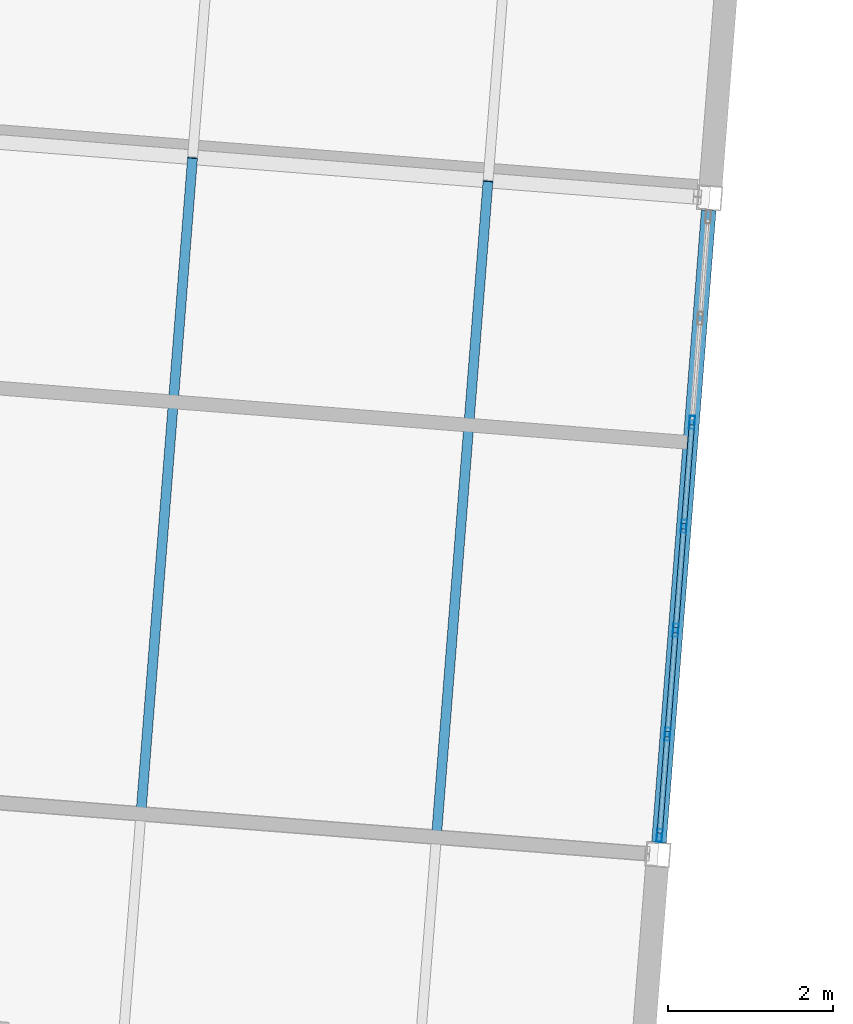
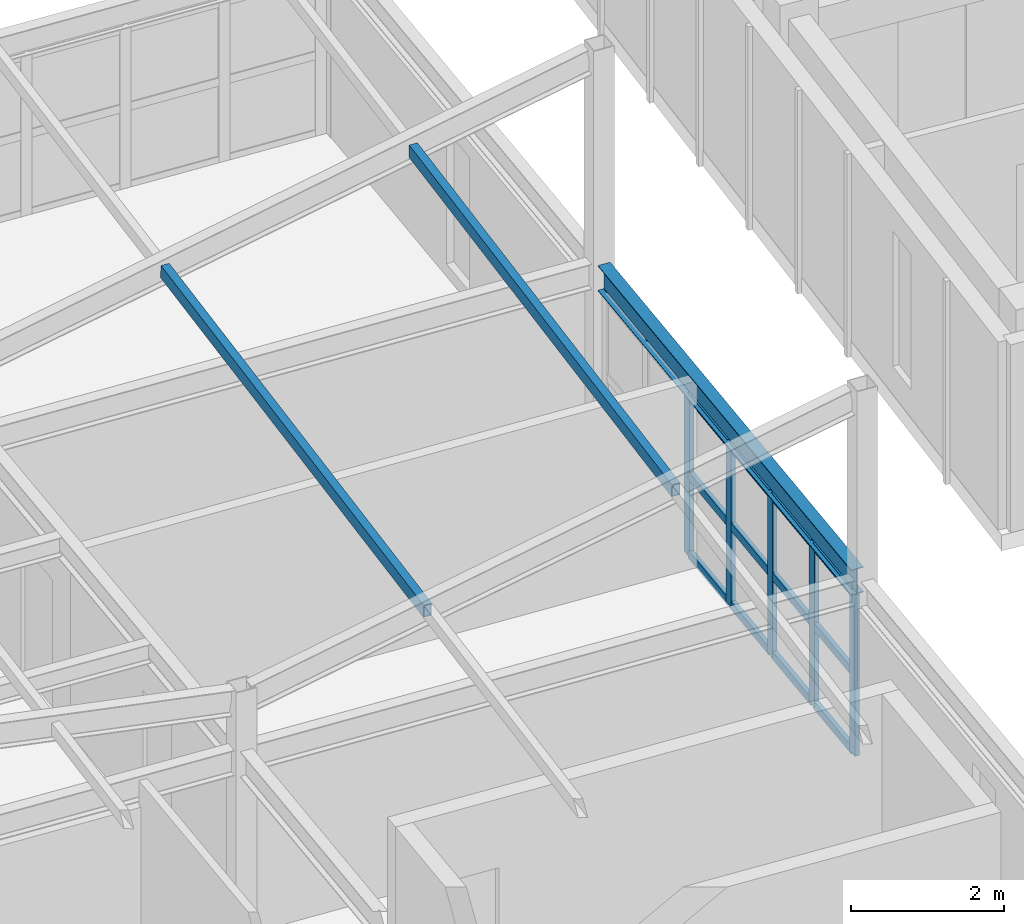
# One storey, part 42 of 127: 19 members, 1 beam, 1 element without a shape of its own.
"""IFC4 building model written with IfcOpenShell, lengths in metres."""

import ifcopenshell
import ifcopenshell.guid

model = None  # the IFC model being written
_history = None  # IfcOwnerHistory: only IFC2X3 demands one
_inside = {}  # id of a spatial element -> (the spatial element, [elements in it])
_under = {}  # id of a project, library or spatial element -> (it, [spatial elements below it])
_declared = {}  # id of a project -> (the project, [libraries it declares])
_typed = {}  # id of a type object -> (the type object, [elements of that type])
_made_of = {}  # id of a material, layer set ... -> (it, [elements and type objects made of it])


def new_model(schema):
    """Start an empty IFC model of exactly this schema.

    Asked for "IFC4X3", IfcOpenShell would pick the latest addendum, in which some entities
    have other attributes; the version numbers below select the first issue.
    IFC2X3 requires an IfcOwnerHistory on every rooted entity: one is made here for all.
    """
    global model, _history
    if schema == "IFC4X3":
        model = ifcopenshell.file(schema_version=(4, 3, 0, 0))
    else:
        model = ifcopenshell.file(schema=schema)
    _inside.clear()
    _under.clear()
    _declared.clear()
    _typed.clear()
    _made_of.clear()
    _history = None
    if model.schema == "IFC2X3":
        org = make("IfcOrganization", Name="unknown")
        user = make(
            "IfcPersonAndOrganization",
            ThePerson=make("IfcPerson", FamilyName="unknown"),
            TheOrganization=org,
        )
        app = make(
            "IfcApplication",
            ApplicationDeveloper=org,
            Version="unknown",
            ApplicationFullName="unknown",
            ApplicationIdentifier="unknown",
        )
        _history = make(
            "IfcOwnerHistory",
            OwningUser=user,
            OwningApplication=app,
            ChangeAction="ADDED",
            CreationDate=0,
        )
    return model


def make(cls, **values):
    """One entity of the class cls with the attributes given. An attribute that is None is left unset."""
    return model.create_entity(
        cls, **{name: value for name, value in values.items() if value is not None}
    )


def rooted(cls, **values):
    """An entity with a GlobalId (a new one), such as an element, a storey or a relation."""
    return make(cls, GlobalId=ifcopenshell.guid.new(), OwnerHistory=_history, **values)


def si_unit(unit_type, name, prefix=None):
    """IfcSIUnit, for example si_unit("LENGTHUNIT", "METRE", prefix="MILLI")."""
    return make("IfcSIUnit", UnitType=unit_type, Prefix=prefix, Name=name)


def assignment(units):
    """IfcUnitAssignment: the units of a project."""
    return None if units is None else make("IfcUnitAssignment", Units=units)


def point(xyz):
    """IfcCartesianPoint."""
    return None if xyz is None else make("IfcCartesianPoint", Coordinates=xyz)


def direction(xyz):
    """IfcDirection."""
    return None if xyz is None else make("IfcDirection", DirectionRatios=xyz)


def frame(location, z_axis=None, x_axis=None):
    """IfcAxis2Placement3D, a coordinate frame: its origin and axes. An axis left out is left unset."""
    return make(
        "IfcAxis2Placement3D",
        Location=point(location),
        Axis=direction(z_axis),
        RefDirection=direction(x_axis),
    )


def frame_2d(location, x_axis=None):
    """IfcAxis2Placement2D, a coordinate frame in the plane: its origin and x axis."""
    return make(
        "IfcAxis2Placement2D", Location=point(location), RefDirection=direction(x_axis)
    )


def origin():
    """The frame at (0, 0, 0) with its axes left unset."""
    return frame((0.0, 0.0, 0.0))


def origin_2d():
    """The frame at (0, 0) in the plane with its x axis left unset."""
    return frame_2d((0.0, 0.0))


def place(relative_to, where):
    """IfcLocalPlacement: puts the frame where relative to a parent placement (None: the world)."""
    return make(
        "IfcLocalPlacement", PlacementRelTo=relative_to, RelativePlacement=where
    )


def context(
    kind, dimensions, precision=None, world=None, true_north=None, identifier=None
):
    """IfcGeometricRepresentationContext, for example the 3D "Model" context."""
    return make(
        "IfcGeometricRepresentationContext",
        ContextIdentifier=identifier,
        ContextType=kind,
        CoordinateSpaceDimension=dimensions,
        Precision=precision,
        WorldCoordinateSystem=world,
        TrueNorth=true_north,
    )


def subcontext(parent, identifier, kind, view, scale=None):
    """IfcGeometricRepresentationSubContext, for example "Body" below "Model"."""
    return make(
        "IfcGeometricRepresentationSubContext",
        ContextIdentifier=identifier,
        ContextType=kind,
        ParentContext=parent,
        TargetScale=scale,
        TargetView=view,
    )


def project(units=None, contexts=None):
    """IfcProject with its units and contexts."""
    return rooted(
        "IfcProject",
        Name="project",
        RepresentationContexts=contexts,
        UnitsInContext=assignment(units),
    )


def spatial(cls, under=None, at=None, **own):
    """A site, building, storey or space (cls), placed at a placement, below another one or the project."""
    s = rooted(cls, ObjectPlacement=at, **own)
    if under is not None:
        _under.setdefault(under.id(), (under, []))[1].append(s)
    return s


def profile(cls, at=None, kind="AREA", **sizes):
    """A parametric profile (cls). Its sizes go by their IFC names, for example OverallWidth=200.0."""
    return make(cls, ProfileType=kind, Position=at, **sizes)


def hollow_rectangle(**sizes):
    """IfcRectangleHollowProfileDef."""
    return profile("IfcRectangleHollowProfileDef", **sizes)


def i_section(**sizes):
    """IfcIShapeProfileDef."""
    return profile("IfcIShapeProfileDef", **sizes)


def extrude(swept, where, along, depth):
    """IfcExtrudedAreaSolid: the profile swept, set in the frame where, extruded along a direction by depth."""
    return make(
        "IfcExtrudedAreaSolid",
        SweptArea=swept,
        Position=where,
        ExtrudedDirection=direction(along),
        Depth=depth,
    )


def shape(context_of_items, identifier, shape_type, items):
    """IfcShapeRepresentation: the items that make up one representation, for example the "Body"."""
    return make(
        "IfcShapeRepresentation",
        ContextOfItems=context_of_items,
        RepresentationIdentifier=identifier,
        RepresentationType=shape_type,
        Items=items,
    )


def material(Name=None, Category=None):
    """IfcMaterial."""
    return make("IfcMaterial", Name=Name, Category=Category)


def material_profile(
    of_material, cross_section, Name=None, Category=None, Priority=None
):
    """IfcMaterialProfile: a cross section and its material."""
    return make(
        "IfcMaterialProfile",
        Name=Name,
        Material=of_material,
        Profile=cross_section,
        Priority=Priority,
        Category=Category,
    )


def profile_set(profiles, Name=None, composite=None):
    """IfcMaterialProfileSet."""
    return make(
        "IfcMaterialProfileSet",
        Name=Name,
        MaterialProfiles=profiles,
        CompositeProfile=composite,
    )


def made_of(thing, what):
    """Note that an element or type object is made of a material, layer set ...; save() writes the relation."""
    if what is not None:
        _made_of.setdefault(what.id(), (what, []))[1].append(thing)
    return thing


def type_object(cls, material=None, **own):
    """A type object (cls), such as IfcWallType, which elements share."""
    return made_of(rooted(cls, **own), material)


def element(
    cls,
    number,
    at=None,
    inside=None,
    cuts=None,
    type_object=None,
    material=None,
    context=None,
    identifier="Body",
    shape_type=None,
    held_by="IfcProductDefinitionShape",
    body=None,
    shapes=None,
    **own,
):
    """One element of the class cls, such as IfcWall. Its Tag is "e" and its number.

    at: its placement. inside: the storey or other place that contains it. cuts: it is an
    opening in that element (IfcRelVoidsElement). A single representation is given by context,
    identifier, shape_type and body (its items); several are given by shapes. held_by: the class
    of the entity that holds the representations. save() writes the other relations.
    """
    e = rooted(cls, Tag="e%d" % number, ObjectPlacement=at, **own)
    if body is not None:
        shapes = [shape(context, identifier, shape_type, body)]
    if shapes is not None:
        e.Representation = make(held_by, Representations=shapes)
    if inside is not None:
        _inside.setdefault(inside.id(), (inside, []))[1].append(e)
    if cuts is not None:
        rooted(
            "IfcRelVoidsElement", RelatingBuildingElement=cuts, RelatedOpeningElement=e
        )
    if type_object is not None:
        _typed.setdefault(type_object.id(), (type_object, []))[1].append(e)
    return made_of(e, material)


def aggregate(whole, parts):
    """IfcRelAggregates: a whole, such as a stair, and the parts it consists of."""
    return rooted("IfcRelAggregates", RelatingObject=whole, RelatedObjects=parts)


def save(model, path):
    """Write the relations noted so far, then the file.

    IfcRelAggregates (storeys below a building ...), IfcRelContainedInSpatialStructure (elements
    in a storey), IfcRelDefinesByType, IfcRelAssociatesMaterial and IfcRelDeclares: one each for
    every whole, place, type object, material and project.
    """
    for whole, parts in _under.values():
        aggregate(whole, parts)
    for where, things in _inside.values():
        rooted(
            "IfcRelContainedInSpatialStructure",
            RelatedElements=things,
            RelatingStructure=where,
        )
    for kind, things in _typed.values():
        rooted("IfcRelDefinesByType", RelatedObjects=things, RelatingType=kind)
    for what, things in _made_of.values():
        rooted("IfcRelAssociatesMaterial", RelatedObjects=things, RelatingMaterial=what)
    for by, libraries in _declared.values():
        rooted("IfcRelDeclares", RelatingContext=by, RelatedDefinitions=libraries)
    model.write(path)


model = new_model("IFC4")

# Units and contexts
model_context = context("Model", 3, precision=1e-05, world=origin(), true_north=direction((0.0, 1.0)))
body_context = subcontext(model_context, "Body", "Model", "MODEL_VIEW")
ifc_project = project(units=[si_unit("LENGTHUNIT", "METRE"), si_unit("AREAUNIT", "SQUARE_METRE"), si_unit("VOLUMEUNIT", "CUBIC_METRE"), si_unit("PLANEANGLEUNIT", "RADIAN"), si_unit("MASSUNIT", "GRAM", prefix="KILO")], contexts=[model_context])

# Site, building, storey
site_placement = place(None, origin())
site = spatial("IfcSite", under=ifc_project, at=site_placement, CompositionType="ELEMENT")
building_placement = place(site_placement, origin())
building = spatial("IfcBuilding", under=site, at=building_placement, Name="Kestramere Prow Commons", CompositionType="ELEMENT")
storey_placement = place(building_placement, frame((0.0, 0.0, 8.39990234375)))
storey = spatial("IfcBuildingStorey", under=building, at=storey_placement, Name="L02", CompositionType="ELEMENT", Elevation=8.39990234375)

# Beam
ifc_material_1 = material(Name="Steel S355JR", Category="steel")
ifc_material_profile_1 = material_profile(ifc_material_1, i_section(OverallWidth=0.177978515625, OverallDepth=0.406494140625, WebThickness=0.0078125, FlangeThickness=0.0126953125, FilletRadius=0.01025390625, at=origin_2d()), Name="UB 406x178x60")
ifc_profile_set_1 = profile_set([ifc_material_profile_1], Name="Steel S355JR")
beam_type = type_object("IfcBeamType", Name="BM-NR-01 UB 406x178x60 (EX)", PredefinedType="BEAM", material=ifc_profile_set_1)
beam_placement = place(storey_placement, frame((105.12841796875, 90.80029296875, 2.796875), z_axis=(0.078473620365, 0.996916190513, 0.0), x_axis=(-0.996916190513, 0.078473620365, 0.0)))
element("IfcBeam", 1, at=beam_placement, inside=storey, type_object=beam_type, Name="Nursery L02 Beam V 5-2", PredefinedType="BEAM", context=body_context, shape_type="SweptSolid", body=[
    extrude(i_section(OverallWidth=0.177978515625, OverallDepth=0.406494140625, WebThickness=0.0078125, FlangeThickness=0.0126953125, FilletRadius=0.01025390625, at=origin_2d()), origin(), (0.0, 0.0, 1.0), 7.699951171875),
])

# Curtain wall, members
ifc_material_2 = material(Name="Anodised Aluminium and Low-E Glass", Category="aluminium")
curtain_wall_type = type_object("IfcCurtainWallType", Name="CW-18 Glazed Curtain Wall 7600x2580", PredefinedType="USERDEFINED", material=ifc_material_2)
curtain_wall_placement = place(storey_placement, origin())
curtain_wall = element("IfcCurtainWall", 2, at=curtain_wall_placement, inside=storey, type_object=curtain_wall_type, Name="Nursery L02 E End Glazing", ObjectType="GLAZED CURTAIN WALL", PredefinedType="USERDEFINED")
ifc_material_3 = material(Name="Anodised Aluminium 6063-T6", Category="aluminium")
ifc_material_profile_2 = material_profile(ifc_material_3, hollow_rectangle(XDim=0.06494140625, YDim=0.159912109375, WallThickness=0.00390625, at=origin_2d()), Name="ALU-MUL 65x160")
ifc_profile_set_2 = profile_set([ifc_material_profile_2], Name="Anodised Aluminium 6063-T6")
member_type_1 = type_object("IfcMemberType", Name="CW-MUL-65x160", PredefinedType="MULLION", material=ifc_profile_set_2)
member_1_placement = place(storey_placement, frame((105.530029296875, 95.901123046875, 0.0), z_axis=(0.0, 0.0, 1.0), x_axis=(0.996917334449, -0.078459086628, 0.0)))
member_1 = element("IfcMember", 3, at=member_1_placement, type_object=member_type_1, Name="CW-18 mullion 3", PredefinedType="MULLION", context=body_context, shape_type="SweptSolid", body=[
    extrude(hollow_rectangle(XDim=0.06494140625, YDim=0.159912109375, WallThickness=0.00390625, at=origin_2d()), origin(), (0.0, 0.0, 1.0), 2.580078125),
])
member_2_placement = place(storey_placement, frame((105.430419921875, 94.638427734375, 0.0), z_axis=(0.0, 0.0, 1.0), x_axis=(0.996917334449, -0.078459086628, 0.0)))
member_2 = element("IfcMember", 4, at=member_2_placement, type_object=member_type_1, Name="CW-18 mullion 4", PredefinedType="MULLION", context=body_context, shape_type="SweptSolid", body=[
    extrude(hollow_rectangle(XDim=0.06494140625, YDim=0.159912109375, WallThickness=0.00390625, at=origin_2d()), origin(), (0.0, 0.0, 1.0), 2.580078125),
])
member_3_placement = place(storey_placement, frame((105.3310546875, 93.375732421875, 0.0), z_axis=(0.0, 0.0, 1.0), x_axis=(0.996917334449, -0.078459086628, 0.0)))
member_3 = element("IfcMember", 5, at=member_3_placement, type_object=member_type_1, Name="CW-18 mullion 5", PredefinedType="MULLION", context=body_context, shape_type="SweptSolid", body=[
    extrude(hollow_rectangle(XDim=0.06494140625, YDim=0.159912109375, WallThickness=0.00390625, at=origin_2d()), origin(), (0.0, 0.0, 1.0), 2.580078125),
])
member_4_placement = place(storey_placement, frame((105.231689453125, 92.113037109375, 0.0), z_axis=(0.0, 0.0, 1.0), x_axis=(0.996917334449, -0.078459086628, 0.0)))
member_4 = element("IfcMember", 6, at=member_4_placement, type_object=member_type_1, Name="CW-18 mullion 6", PredefinedType="MULLION", context=body_context, shape_type="SweptSolid", body=[
    extrude(hollow_rectangle(XDim=0.06494140625, YDim=0.159912109375, WallThickness=0.00390625, at=origin_2d()), origin(), (0.0, 0.0, 1.0), 2.580078125),
])
member_5_placement = place(storey_placement, frame((105.135009765625, 90.882568359375, 0.0), z_axis=(0.0, 0.0, 1.0), x_axis=(0.996917334449, -0.078459086628, 0.0)))
member_5 = element("IfcMember", 7, at=member_5_placement, type_object=member_type_1, Name="CW-18 mullion 7", PredefinedType="MULLION", context=body_context, shape_type="SweptSolid", body=[
    extrude(hollow_rectangle(XDim=0.06494140625, YDim=0.159912109375, WallThickness=0.00390625, at=origin_2d()), origin(), (0.0, 0.0, 1.0), 2.580078125),
])
ifc_material_profile_3 = material_profile(ifc_material_3, hollow_rectangle(XDim=0.06494140625, YDim=0.1298828125, WallThickness=0.00390625, at=origin_2d()), Name="ALU-TRN 65x130")
ifc_profile_set_3 = profile_set([ifc_material_profile_3], Name="Anodised Aluminium 6063-T6")
member_type_2 = type_object("IfcMemberType", Name="CW-TRN-65x130", PredefinedType="USERDEFINED", material=ifc_profile_set_3)
member_6_placement = place(storey_placement, frame((105.52734375, 95.868896484375, 0.03271484375), z_axis=(-0.078420878648, -0.996920340745, 0.0), x_axis=(0.996920340745, -0.078420878648, 0.0)))
member_6 = element("IfcMember", 8, at=member_6_placement, type_object=member_type_2, Name="CW-18 transom 3.1", ObjectType="TRANSOM", PredefinedType="USERDEFINED", context=body_context, shape_type="SweptSolid", body=[
    extrude(hollow_rectangle(XDim=0.06494140625, YDim=0.1298828125, WallThickness=0.00390625, at=origin_2d()), origin(), (0.0, 0.0, 1.0), 1.20166015625),
])
member_7_placement = place(storey_placement, frame((105.52734375, 95.868896484375, 1.2900390625), z_axis=(-0.078420878648, -0.996920340745, 0.0), x_axis=(0.996920340745, -0.078420878648, 0.0)))
member_7 = element("IfcMember", 9, at=member_7_placement, type_object=member_type_2, Name="CW-18 transom 3.2", ObjectType="TRANSOM", PredefinedType="USERDEFINED", context=body_context, shape_type="SweptSolid", body=[
    extrude(hollow_rectangle(XDim=0.06494140625, YDim=0.1298828125, WallThickness=0.00390625, at=origin_2d()), origin(), (0.0, 0.0, 1.0), 1.20166015625),
])
member_8_placement = place(storey_placement, frame((105.52734375, 95.868896484375, 2.547607421875), z_axis=(-0.078420878648, -0.996920340745, 0.0), x_axis=(0.996920340745, -0.078420878648, 0.0)))
member_8 = element("IfcMember", 10, at=member_8_placement, type_object=member_type_2, Name="CW-18 transom 3.3", ObjectType="TRANSOM", PredefinedType="USERDEFINED", context=body_context, shape_type="SweptSolid", body=[
    extrude(hollow_rectangle(XDim=0.06494140625, YDim=0.1298828125, WallThickness=0.00390625, at=origin_2d()), origin(), (0.0, 0.0, 1.0), 1.20166015625),
])
member_9_placement = place(storey_placement, frame((105.427978515625, 94.606201171875, 0.03271484375), z_axis=(-0.078420878648, -0.996920340745, 0.0), x_axis=(0.996920340745, -0.078420878648, 0.0)))
member_9 = element("IfcMember", 11, at=member_9_placement, type_object=member_type_2, Name="CW-18 transom 4.1", ObjectType="TRANSOM", PredefinedType="USERDEFINED", context=body_context, shape_type="SweptSolid", body=[
    extrude(hollow_rectangle(XDim=0.06494140625, YDim=0.1298828125, WallThickness=0.00390625, at=origin_2d()), origin(), (0.0, 0.0, 1.0), 1.20166015625),
])
member_10_placement = place(storey_placement, frame((105.427978515625, 94.606201171875, 1.2900390625), z_axis=(-0.078420878648, -0.996920340745, 0.0), x_axis=(0.996920340745, -0.078420878648, 0.0)))
member_10 = element("IfcMember", 12, at=member_10_placement, type_object=member_type_2, Name="CW-18 transom 4.2", ObjectType="TRANSOM", PredefinedType="USERDEFINED", context=body_context, shape_type="SweptSolid", body=[
    extrude(hollow_rectangle(XDim=0.06494140625, YDim=0.1298828125, WallThickness=0.00390625, at=origin_2d()), origin(), (0.0, 0.0, 1.0), 1.20166015625),
])
member_11_placement = place(storey_placement, frame((105.427978515625, 94.606201171875, 2.547607421875), z_axis=(-0.078420878648, -0.996920340745, 0.0), x_axis=(0.996920340745, -0.078420878648, 0.0)))
member_11 = element("IfcMember", 13, at=member_11_placement, type_object=member_type_2, Name="CW-18 transom 4.3", ObjectType="TRANSOM", PredefinedType="USERDEFINED", context=body_context, shape_type="SweptSolid", body=[
    extrude(hollow_rectangle(XDim=0.06494140625, YDim=0.1298828125, WallThickness=0.00390625, at=origin_2d()), origin(), (0.0, 0.0, 1.0), 1.20166015625),
])
member_12_placement = place(storey_placement, frame((105.32861328125, 93.34326171875, 0.03271484375), z_axis=(-0.078420878648, -0.996920340745, 0.0), x_axis=(0.996920340745, -0.078420878648, 0.0)))
member_12 = element("IfcMember", 14, at=member_12_placement, type_object=member_type_2, Name="CW-18 transom 5.1", ObjectType="TRANSOM", PredefinedType="USERDEFINED", context=body_context, shape_type="SweptSolid", body=[
    extrude(hollow_rectangle(XDim=0.06494140625, YDim=0.1298828125, WallThickness=0.00390625, at=origin_2d()), origin(), (0.0, 0.0, 1.0), 1.20166015625),
])
member_13_placement = place(storey_placement, frame((105.32861328125, 93.34326171875, 1.2900390625), z_axis=(-0.078420878648, -0.996920340745, 0.0), x_axis=(0.996920340745, -0.078420878648, 0.0)))
member_13 = element("IfcMember", 15, at=member_13_placement, type_object=member_type_2, Name="CW-18 transom 5.2", ObjectType="TRANSOM", PredefinedType="USERDEFINED", context=body_context, shape_type="SweptSolid", body=[
    extrude(hollow_rectangle(XDim=0.06494140625, YDim=0.1298828125, WallThickness=0.00390625, at=origin_2d()), origin(), (0.0, 0.0, 1.0), 1.20166015625),
])
member_14_placement = place(storey_placement, frame((105.32861328125, 93.34326171875, 2.547607421875), z_axis=(-0.078420878648, -0.996920340745, 0.0), x_axis=(0.996920340745, -0.078420878648, 0.0)))
member_14 = element("IfcMember", 16, at=member_14_placement, type_object=member_type_2, Name="CW-18 transom 5.3", ObjectType="TRANSOM", PredefinedType="USERDEFINED", context=body_context, shape_type="SweptSolid", body=[
    extrude(hollow_rectangle(XDim=0.06494140625, YDim=0.1298828125, WallThickness=0.00390625, at=origin_2d()), origin(), (0.0, 0.0, 1.0), 1.20166015625),
])
member_15_placement = place(storey_placement, frame((105.229248046875, 92.08056640625, 0.03271484375), z_axis=(-0.078516801265, -0.996912790528, 0.0), x_axis=(0.996912790528, -0.078516801265, 0.0)))
member_15 = element("IfcMember", 17, at=member_15_placement, type_object=member_type_2, Name="CW-18 transom 6.1", ObjectType="TRANSOM", PredefinedType="USERDEFINED", context=body_context, shape_type="SweptSolid", body=[
    extrude(hollow_rectangle(XDim=0.06494140625, YDim=0.1298828125, WallThickness=0.00390625, at=origin_2d()), origin(), (0.0, 0.0, 1.0), 1.169189453125),
])
member_16_placement = place(storey_placement, frame((105.229248046875, 92.08056640625, 1.2900390625), z_axis=(-0.078516801265, -0.996912790528, 0.0), x_axis=(0.996912790528, -0.078516801265, 0.0)))
member_16 = element("IfcMember", 18, at=member_16_placement, type_object=member_type_2, Name="CW-18 transom 6.2", ObjectType="TRANSOM", PredefinedType="USERDEFINED", context=body_context, shape_type="SweptSolid", body=[
    extrude(hollow_rectangle(XDim=0.06494140625, YDim=0.1298828125, WallThickness=0.00390625, at=origin_2d()), origin(), (0.0, 0.0, 1.0), 1.169189453125),
])
member_17_placement = place(storey_placement, frame((105.229248046875, 92.08056640625, 2.547607421875), z_axis=(-0.078516801265, -0.996912790528, 0.0), x_axis=(0.996912790528, -0.078516801265, 0.0)))
member_17 = element("IfcMember", 19, at=member_17_placement, type_object=member_type_2, Name="CW-18 transom 6.3", ObjectType="TRANSOM", PredefinedType="USERDEFINED", context=body_context, shape_type="SweptSolid", body=[
    extrude(hollow_rectangle(XDim=0.06494140625, YDim=0.1298828125, WallThickness=0.00390625, at=origin_2d()), origin(), (0.0, 0.0, 1.0), 1.169189453125),
])
aggregate(curtain_wall, [member_1, member_2, member_3, member_4, member_5, member_6, member_7, member_8, member_9, member_10, member_11, member_12, member_13, member_14, member_15, member_16, member_17])

# Members
ifc_material_profile_4 = material_profile(ifc_material_1, hollow_rectangle(XDim=0.1201171875, YDim=0.199951171875, WallThickness=0.008056640625, at=origin_2d()), Name="RHS 200x120x8")
ifc_profile_set_4 = profile_set([ifc_material_profile_4], Name="Steel S355JR")
member_type_3 = type_object("IfcMemberType", Name="PUR-NR-01 RHS 200x120x8", PredefinedType="PURLIN", material=ifc_profile_set_4)
for number, where, z_axis, x_axis, name in (
    (20, (98.836669921875, 91.153076171875, 4.320556640625), (0.078374248355, 0.995774452398, 0.047861436934), (-0.996916934406, 0.078464169489, 0.0), "Nursery Roof Purlin 4-2-3"),
    (21, (102.425537109375, 90.87060546875, 5.16064453125), (0.078374248355, 0.995774452398, 0.047861436934), (-0.996916934406, 0.078464169489, 0.0), "Nursery Roof Purlin 4-2-7"),
):
    element("IfcMember", number, at=place(storey_placement, frame(where, z_axis=z_axis, x_axis=x_axis)), inside=storey, type_object=member_type_3, Name=name, PredefinedType="PURLIN", context=body_context, shape_type="SweptSolid", body=[
        extrude(hollow_rectangle(XDim=0.1201171875, YDim=0.199951171875, WallThickness=0.008056640625, at=origin_2d()), origin(), (0.0, 0.0, 1.0), 7.9931640625),
    ])

save(model, "model.ifc")
